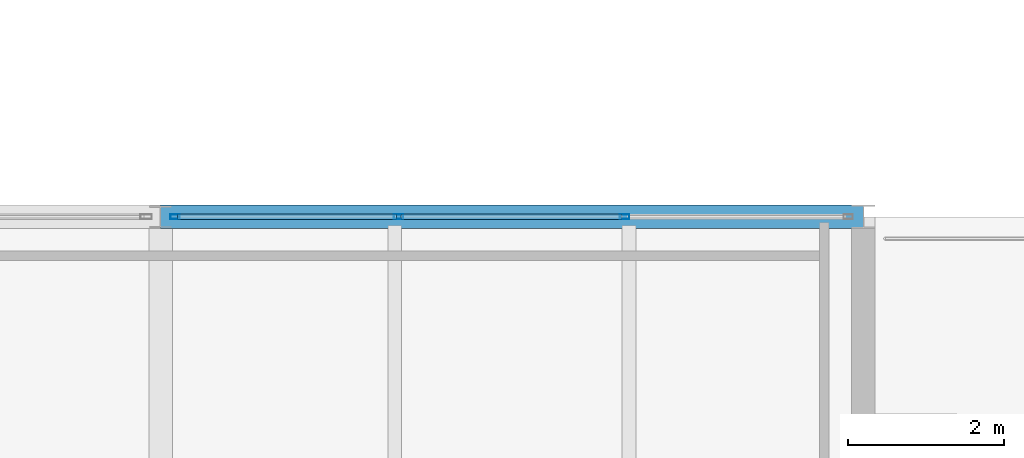
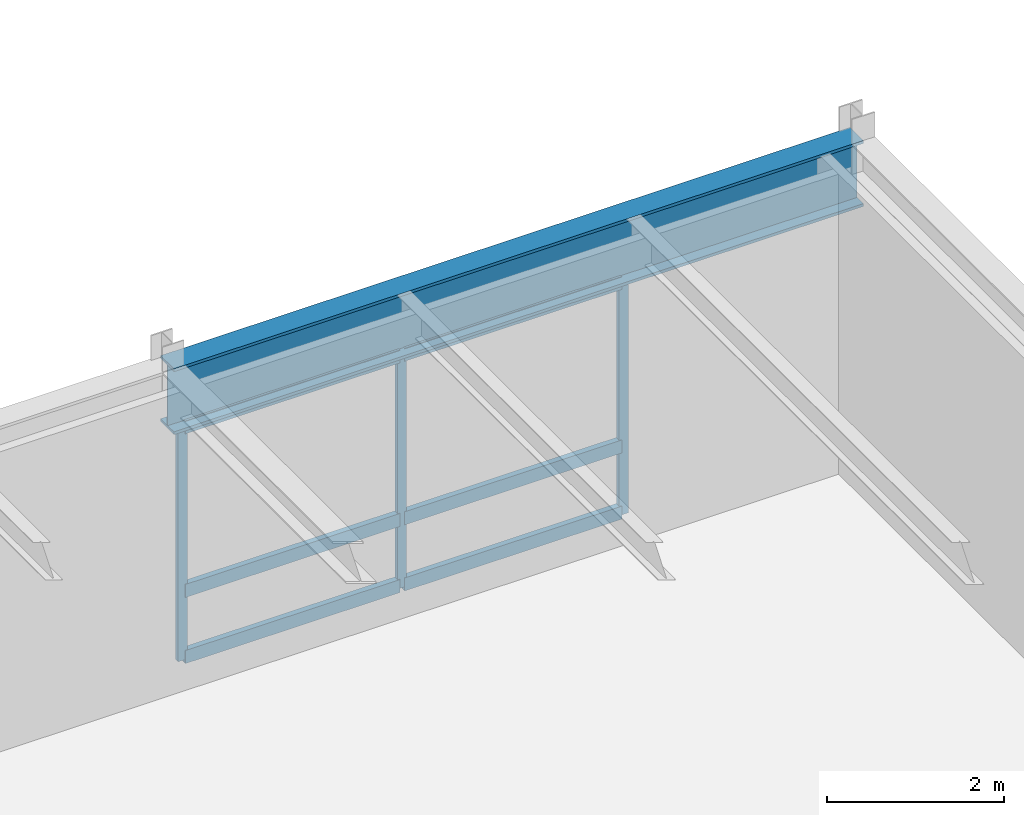
# One storey, part 26 of 115: 9 members, 1 beam, 1 element without a shape of its own.
"""IFC4 building model written with IfcOpenShell, lengths in metres."""

from ifc_helpers import new_model, si_unit, direction, frame, origin, origin_2d, place, context, subcontext, project, spatial, hollow_rectangle, i_section, extrude, material, layer, layer_set, material_profile, profile_set, type_object, element, aggregate, save


model = new_model("IFC4")

# Units and contexts
model_context = context("Model", 3, precision=1e-05, world=origin(), true_north=direction((0.0, 1.0)))
body_context = subcontext(model_context, "Body", "Model", "MODEL_VIEW")
ifc_project = project(units=[si_unit("LENGTHUNIT", "METRE"), si_unit("AREAUNIT", "SQUARE_METRE"), si_unit("VOLUMEUNIT", "CUBIC_METRE"), si_unit("PLANEANGLEUNIT", "RADIAN"), si_unit("MASSUNIT", "GRAM", prefix="KILO")], contexts=[model_context])

# Site, building, storey
site_placement = place(None, origin())
site = spatial("IfcSite", under=ifc_project, at=site_placement, CompositionType="ELEMENT")
building_placement = place(site_placement, origin())
building = spatial("IfcBuilding", under=site, at=building_placement, Name="Montelvaro Courts of Justice", CompositionType="ELEMENT")
storey_placement = place(building_placement, frame((0.0, 0.0, 9.89990234375)))
storey = spatial("IfcBuildingStorey", under=building, at=storey_placement, Name="L02", CompositionType="ELEMENT", Elevation=9.89990234375)

# Beam
ifc_material_1 = material(Name="Steel S355", Category="steel")
ifc_material_profile_1 = material_profile(ifc_material_1, i_section(OverallWidth=0.302001953125, OverallDepth=0.909912109375, WebThickness=0.02099609375, FlangeThickness=0.0400390625, at=origin_2d()), Name="HEM 900")
ifc_profile_set_1 = profile_set([ifc_material_profile_1], Name="Steel S355")
beam_type = type_object("IfcBeamType", Name="Beam_HEM900", PredefinedType="USERDEFINED", material=ifc_profile_set_1)
beam_placement = place(storey_placement, frame((36.0, 54.0, 3.705078125), z_axis=(1.0, 0.0, 0.0), x_axis=(0.0, 1.0, 0.0)))
element("IfcBeam", 1, at=beam_placement, inside=storey, type_object=beam_type, Name="Beam B-31 L02", ObjectType="GIRDER", PredefinedType="USERDEFINED", context=body_context, shape_type="SweptSolid", body=[
    extrude(i_section(OverallWidth=0.302001953125, OverallDepth=0.909912109375, WebThickness=0.02099609375, FlangeThickness=0.0400390625, at=origin_2d()), origin(), (0.0, 0.0, 1.0), 9.0),
])

# Curtain wall, members
ifc_material_2 = material(Name="Anodised aluminium EN AW-6063", Category="aluminium")
ifc_layer = layer(ifc_material_2, 0.159912109375)
ifc_layer_set = layer_set([ifc_layer], Name="Anodised aluminium EN AW-6063")
curtain_wall_type = type_object("IfcCurtainWallType", Name="CurtainWall_18_868x418", PredefinedType="USERDEFINED", material=ifc_layer_set)
curtain_wall_placement = place(storey_placement, origin())
curtain_wall = element("IfcCurtainWall", 2, at=curtain_wall_placement, inside=storey, type_object=curtain_wall_type, Name="Curtain Wall CW-18 (L02)", ObjectType="CURTAIN WALL", PredefinedType="USERDEFINED")
ifc_material_profile_2 = material_profile(ifc_material_2, hollow_rectangle(XDim=0.06005859375, YDim=0.1201171875, WallThickness=0.00341796875, at=origin_2d()), Name="ALU-M 60x120")
ifc_profile_set_2 = profile_set([ifc_material_profile_2], Name="Anodised aluminium EN AW-6063")
member_type_1 = type_object("IfcMemberType", Name="CurtainWall_Mullion_60x120", PredefinedType="MULLION", material=ifc_profile_set_2)
member_1_placement = place(storey_placement, frame((41.941650390625, 54.0, 0.0), z_axis=(0.0, 0.0, 1.0), x_axis=(0.0, -1.0, 0.0)))
member_1 = element("IfcMember", 3, at=member_1_placement, type_object=member_type_1, Name="CW-18 mullion 2", PredefinedType="MULLION", context=body_context, shape_type="SweptSolid", body=[
    extrude(hollow_rectangle(XDim=0.06005859375, YDim=0.1201171875, WallThickness=0.00341796875, at=origin_2d()), origin(), (0.0, 0.0, 1.0), 3.2451171875),
])
member_2_placement = place(storey_placement, frame((39.04833984375, 54.0, 0.0), z_axis=(0.0, 0.0, 1.0), x_axis=(0.0, -1.0, 0.0)))
member_2 = element("IfcMember", 4, at=member_2_placement, type_object=member_type_1, Name="CW-18 mullion 3", PredefinedType="MULLION", context=body_context, shape_type="SweptSolid", body=[
    extrude(hollow_rectangle(XDim=0.06005859375, YDim=0.1201171875, WallThickness=0.00341796875, at=origin_2d()), origin(), (0.0, 0.0, 1.0), 3.2451171875),
])
member_3_placement = place(storey_placement, frame((36.18505859375, 54.0, 0.0), z_axis=(0.0, 0.0, 1.0), x_axis=(0.0, -1.0, 0.0)))
member_3 = element("IfcMember", 5, at=member_3_placement, type_object=member_type_1, Name="CW-18 mullion 4", PredefinedType="MULLION", context=body_context, shape_type="SweptSolid", body=[
    extrude(hollow_rectangle(XDim=0.06005859375, YDim=0.1201171875, WallThickness=0.00341796875, at=origin_2d()), origin(), (0.0, 0.0, 1.0), 3.2451171875),
])
ifc_material_profile_3 = material_profile(ifc_material_2, hollow_rectangle(XDim=0.074951171875, YDim=0.179931640625, WallThickness=0.0048828125, at=origin_2d()), Name="ALU-T 75x180")
ifc_profile_set_3 = profile_set([ifc_material_profile_3], Name="Anodised aluminium EN AW-6063")
member_type_2 = type_object("IfcMemberType", Name="CurtainWall_Transom_75x180", PredefinedType="USERDEFINED", material=ifc_profile_set_3)
member_4_placement = place(storey_placement, frame((41.91162109375, 54.0, 0.03759765625), z_axis=(-1.0, 0.0, 0.0), x_axis=(0.0, -1.0, 0.0)))
member_4 = element("IfcMember", 6, at=member_4_placement, type_object=member_type_2, Name="CW-18 transom 2.1", ObjectType="TRANSOM", PredefinedType="USERDEFINED", context=body_context, shape_type="SweptSolid", body=[
    extrude(hollow_rectangle(XDim=0.074951171875, YDim=0.179931640625, WallThickness=0.0048828125, at=origin_2d()), origin(), (0.0, 0.0, 1.0), 2.833251953125),
])
member_5_placement = place(storey_placement, frame((41.91162109375, 54.0, 0.9501953125), z_axis=(-1.0, 0.0, 0.0), x_axis=(0.0, -1.0, 0.0)))
member_5 = element("IfcMember", 7, at=member_5_placement, type_object=member_type_2, Name="CW-18 transom 2.2", ObjectType="TRANSOM", PredefinedType="USERDEFINED", context=body_context, shape_type="SweptSolid", body=[
    extrude(hollow_rectangle(XDim=0.074951171875, YDim=0.179931640625, WallThickness=0.0048828125, at=origin_2d()), origin(), (0.0, 0.0, 1.0), 2.833251953125),
])
member_6_placement = place(storey_placement, frame((41.91162109375, 54.0, 3.20751953125), z_axis=(-1.0, 0.0, 0.0), x_axis=(0.0, -1.0, 0.0)))
member_6 = element("IfcMember", 8, at=member_6_placement, type_object=member_type_2, Name="CW-18 transom 2.3", ObjectType="TRANSOM", PredefinedType="USERDEFINED", context=body_context, shape_type="SweptSolid", body=[
    extrude(hollow_rectangle(XDim=0.074951171875, YDim=0.179931640625, WallThickness=0.0048828125, at=origin_2d()), origin(), (0.0, 0.0, 1.0), 2.833251953125),
])
member_7_placement = place(storey_placement, frame((39.018310546875, 54.0, 0.03759765625), z_axis=(-1.0, 0.0, 0.0), x_axis=(0.0, -1.0, 0.0)))
member_7 = element("IfcMember", 9, at=member_7_placement, type_object=member_type_2, Name="CW-18 transom 3.1", ObjectType="TRANSOM", PredefinedType="USERDEFINED", context=body_context, shape_type="SweptSolid", body=[
    extrude(hollow_rectangle(XDim=0.074951171875, YDim=0.179931640625, WallThickness=0.0048828125, at=origin_2d()), origin(), (0.0, 0.0, 1.0), 2.80322265625),
])
member_8_placement = place(storey_placement, frame((39.018310546875, 54.0, 0.9501953125), z_axis=(-1.0, 0.0, 0.0), x_axis=(0.0, -1.0, 0.0)))
member_8 = element("IfcMember", 10, at=member_8_placement, type_object=member_type_2, Name="CW-18 transom 3.2", ObjectType="TRANSOM", PredefinedType="USERDEFINED", context=body_context, shape_type="SweptSolid", body=[
    extrude(hollow_rectangle(XDim=0.074951171875, YDim=0.179931640625, WallThickness=0.0048828125, at=origin_2d()), origin(), (0.0, 0.0, 1.0), 2.80322265625),
])
member_9_placement = place(storey_placement, frame((39.018310546875, 54.0, 3.20751953125), z_axis=(-1.0, 0.0, 0.0), x_axis=(0.0, -1.0, 0.0)))
member_9 = element("IfcMember", 11, at=member_9_placement, type_object=member_type_2, Name="CW-18 transom 3.3", ObjectType="TRANSOM", PredefinedType="USERDEFINED", context=body_context, shape_type="SweptSolid", body=[
    extrude(hollow_rectangle(XDim=0.074951171875, YDim=0.179931640625, WallThickness=0.0048828125, at=origin_2d()), origin(), (0.0, 0.0, 1.0), 2.80322265625),
])
aggregate(curtain_wall, [member_1, member_2, member_3, member_4, member_5, member_6, member_7, member_8, member_9])

save(model, "model.ifc")
